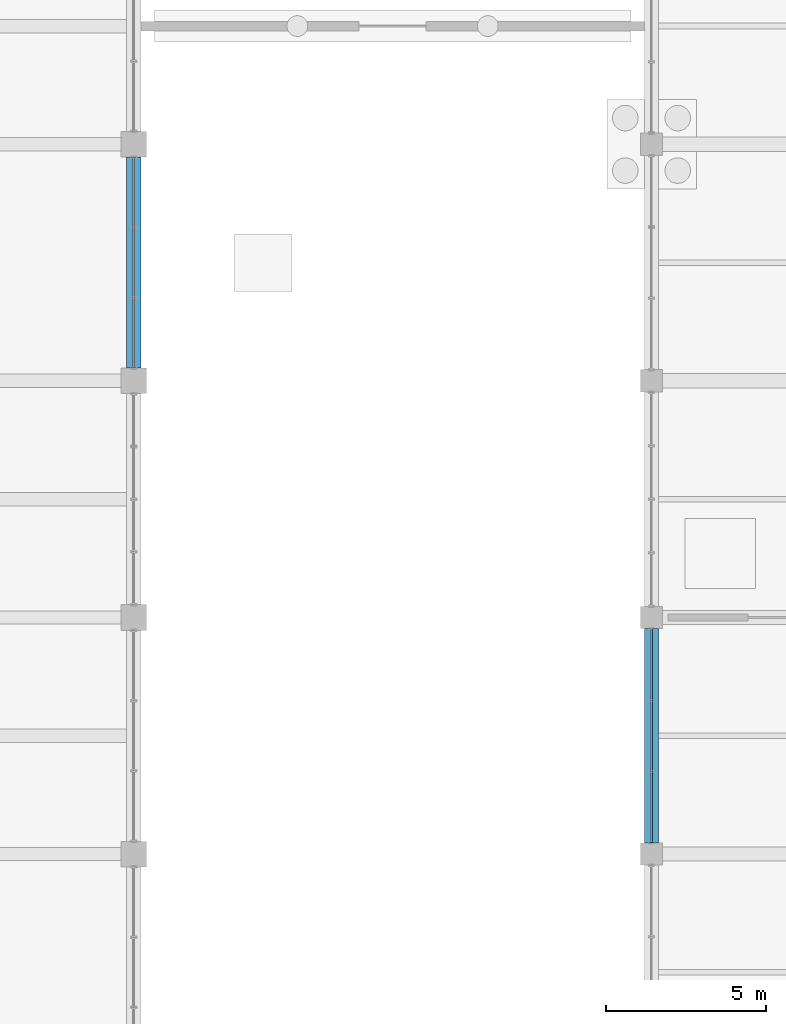
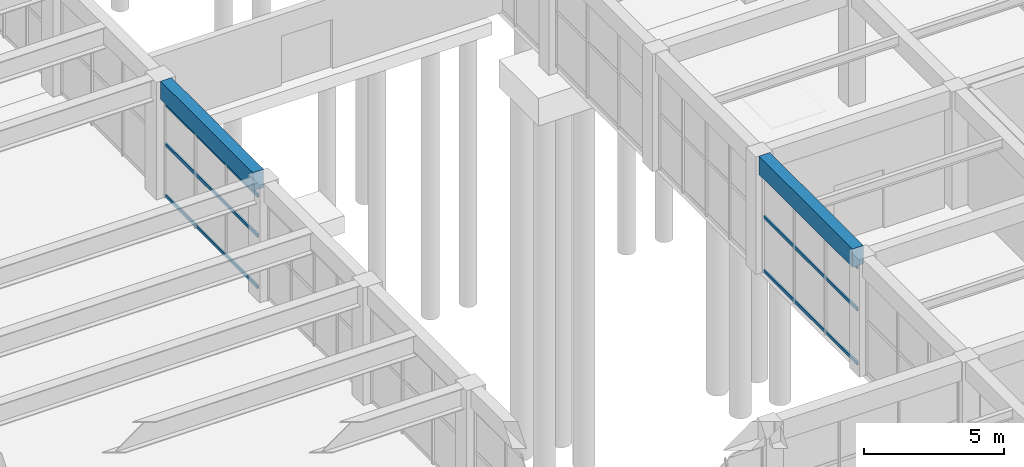
# One storey, part 50 of 140: 6 members, 2 beams, 2 elements without a shape of their own.
"""IFC4 building model written with IfcOpenShell, lengths in metres."""

import ifcopenshell
import ifcopenshell.guid

model = None  # the IFC model being written
_history = None  # IfcOwnerHistory: only IFC2X3 demands one
_inside = {}  # id of a spatial element -> (the spatial element, [elements in it])
_under = {}  # id of a project, library or spatial element -> (it, [spatial elements below it])
_declared = {}  # id of a project -> (the project, [libraries it declares])
_typed = {}  # id of a type object -> (the type object, [elements of that type])
_made_of = {}  # id of a material, layer set ... -> (it, [elements and type objects made of it])


def new_model(schema):
    """Start an empty IFC model of exactly this schema.

    Asked for "IFC4X3", IfcOpenShell would pick the latest addendum, in which some entities
    have other attributes; the version numbers below select the first issue.
    IFC2X3 requires an IfcOwnerHistory on every rooted entity: one is made here for all.
    """
    global model, _history
    if schema == "IFC4X3":
        model = ifcopenshell.file(schema_version=(4, 3, 0, 0))
    else:
        model = ifcopenshell.file(schema=schema)
    _inside.clear()
    _under.clear()
    _declared.clear()
    _typed.clear()
    _made_of.clear()
    _history = None
    if model.schema == "IFC2X3":
        org = make("IfcOrganization", Name="unknown")
        user = make(
            "IfcPersonAndOrganization",
            ThePerson=make("IfcPerson", FamilyName="unknown"),
            TheOrganization=org,
        )
        app = make(
            "IfcApplication",
            ApplicationDeveloper=org,
            Version="unknown",
            ApplicationFullName="unknown",
            ApplicationIdentifier="unknown",
        )
        _history = make(
            "IfcOwnerHistory",
            OwningUser=user,
            OwningApplication=app,
            ChangeAction="ADDED",
            CreationDate=0,
        )
    return model


def make(cls, **values):
    """One entity of the class cls with the attributes given. An attribute that is None is left unset."""
    return model.create_entity(
        cls, **{name: value for name, value in values.items() if value is not None}
    )


def rooted(cls, **values):
    """An entity with a GlobalId (a new one), such as an element, a storey or a relation."""
    return make(cls, GlobalId=ifcopenshell.guid.new(), OwnerHistory=_history, **values)


def si_unit(unit_type, name, prefix=None):
    """IfcSIUnit, for example si_unit("LENGTHUNIT", "METRE", prefix="MILLI")."""
    return make("IfcSIUnit", UnitType=unit_type, Prefix=prefix, Name=name)


def assignment(units):
    """IfcUnitAssignment: the units of a project."""
    return None if units is None else make("IfcUnitAssignment", Units=units)


def point(xyz):
    """IfcCartesianPoint."""
    return None if xyz is None else make("IfcCartesianPoint", Coordinates=xyz)


def direction(xyz):
    """IfcDirection."""
    return None if xyz is None else make("IfcDirection", DirectionRatios=xyz)


def frame(location, z_axis=None, x_axis=None):
    """IfcAxis2Placement3D, a coordinate frame: its origin and axes. An axis left out is left unset."""
    return make(
        "IfcAxis2Placement3D",
        Location=point(location),
        Axis=direction(z_axis),
        RefDirection=direction(x_axis),
    )


def frame_2d(location, x_axis=None):
    """IfcAxis2Placement2D, a coordinate frame in the plane: its origin and x axis."""
    return make(
        "IfcAxis2Placement2D", Location=point(location), RefDirection=direction(x_axis)
    )


def origin():
    """The frame at (0, 0, 0) with its axes left unset."""
    return frame((0.0, 0.0, 0.0))


def origin_2d():
    """The frame at (0, 0) in the plane with its x axis left unset."""
    return frame_2d((0.0, 0.0))


def place(relative_to, where):
    """IfcLocalPlacement: puts the frame where relative to a parent placement (None: the world)."""
    return make(
        "IfcLocalPlacement", PlacementRelTo=relative_to, RelativePlacement=where
    )


def context(
    kind, dimensions, precision=None, world=None, true_north=None, identifier=None
):
    """IfcGeometricRepresentationContext, for example the 3D "Model" context."""
    return make(
        "IfcGeometricRepresentationContext",
        ContextIdentifier=identifier,
        ContextType=kind,
        CoordinateSpaceDimension=dimensions,
        Precision=precision,
        WorldCoordinateSystem=world,
        TrueNorth=true_north,
    )


def subcontext(parent, identifier, kind, view, scale=None):
    """IfcGeometricRepresentationSubContext, for example "Body" below "Model"."""
    return make(
        "IfcGeometricRepresentationSubContext",
        ContextIdentifier=identifier,
        ContextType=kind,
        ParentContext=parent,
        TargetScale=scale,
        TargetView=view,
    )


def project(units=None, contexts=None):
    """IfcProject with its units and contexts."""
    return rooted(
        "IfcProject",
        Name="project",
        RepresentationContexts=contexts,
        UnitsInContext=assignment(units),
    )


def spatial(cls, under=None, at=None, **own):
    """A site, building, storey or space (cls), placed at a placement, below another one or the project."""
    s = rooted(cls, ObjectPlacement=at, **own)
    if under is not None:
        _under.setdefault(under.id(), (under, []))[1].append(s)
    return s


def profile(cls, at=None, kind="AREA", **sizes):
    """A parametric profile (cls). Its sizes go by their IFC names, for example OverallWidth=200.0."""
    return make(cls, ProfileType=kind, Position=at, **sizes)


def rectangle(**sizes):
    """IfcRectangleProfileDef."""
    return profile("IfcRectangleProfileDef", **sizes)


def hollow_rectangle(**sizes):
    """IfcRectangleHollowProfileDef."""
    return profile("IfcRectangleHollowProfileDef", **sizes)


def extrude(swept, where, along, depth):
    """IfcExtrudedAreaSolid: the profile swept, set in the frame where, extruded along a direction by depth."""
    return make(
        "IfcExtrudedAreaSolid",
        SweptArea=swept,
        Position=where,
        ExtrudedDirection=direction(along),
        Depth=depth,
    )


def shape(context_of_items, identifier, shape_type, items):
    """IfcShapeRepresentation: the items that make up one representation, for example the "Body"."""
    return make(
        "IfcShapeRepresentation",
        ContextOfItems=context_of_items,
        RepresentationIdentifier=identifier,
        RepresentationType=shape_type,
        Items=items,
    )


def material(Name=None, Category=None):
    """IfcMaterial."""
    return make("IfcMaterial", Name=Name, Category=Category)


def material_profile(
    of_material, cross_section, Name=None, Category=None, Priority=None
):
    """IfcMaterialProfile: a cross section and its material."""
    return make(
        "IfcMaterialProfile",
        Name=Name,
        Material=of_material,
        Profile=cross_section,
        Priority=Priority,
        Category=Category,
    )


def profile_set(profiles, Name=None, composite=None):
    """IfcMaterialProfileSet."""
    return make(
        "IfcMaterialProfileSet",
        Name=Name,
        MaterialProfiles=profiles,
        CompositeProfile=composite,
    )


def made_of(thing, what):
    """Note that an element or type object is made of a material, layer set ...; save() writes the relation."""
    if what is not None:
        _made_of.setdefault(what.id(), (what, []))[1].append(thing)
    return thing


def type_object(cls, material=None, **own):
    """A type object (cls), such as IfcWallType, which elements share."""
    return made_of(rooted(cls, **own), material)


def element(
    cls,
    number,
    at=None,
    inside=None,
    cuts=None,
    type_object=None,
    material=None,
    context=None,
    identifier="Body",
    shape_type=None,
    held_by="IfcProductDefinitionShape",
    body=None,
    shapes=None,
    **own,
):
    """One element of the class cls, such as IfcWall. Its Tag is "e" and its number.

    at: its placement. inside: the storey or other place that contains it. cuts: it is an
    opening in that element (IfcRelVoidsElement). A single representation is given by context,
    identifier, shape_type and body (its items); several are given by shapes. held_by: the class
    of the entity that holds the representations. save() writes the other relations.
    """
    e = rooted(cls, Tag="e%d" % number, ObjectPlacement=at, **own)
    if body is not None:
        shapes = [shape(context, identifier, shape_type, body)]
    if shapes is not None:
        e.Representation = make(held_by, Representations=shapes)
    if inside is not None:
        _inside.setdefault(inside.id(), (inside, []))[1].append(e)
    if cuts is not None:
        rooted(
            "IfcRelVoidsElement", RelatingBuildingElement=cuts, RelatedOpeningElement=e
        )
    if type_object is not None:
        _typed.setdefault(type_object.id(), (type_object, []))[1].append(e)
    return made_of(e, material)


def aggregate(whole, parts):
    """IfcRelAggregates: a whole, such as a stair, and the parts it consists of."""
    return rooted("IfcRelAggregates", RelatingObject=whole, RelatedObjects=parts)


def save(model, path):
    """Write the relations noted so far, then the file.

    IfcRelAggregates (storeys below a building ...), IfcRelContainedInSpatialStructure (elements
    in a storey), IfcRelDefinesByType, IfcRelAssociatesMaterial and IfcRelDeclares: one each for
    every whole, place, type object, material and project.
    """
    for whole, parts in _under.values():
        aggregate(whole, parts)
    for where, things in _inside.values():
        rooted(
            "IfcRelContainedInSpatialStructure",
            RelatedElements=things,
            RelatingStructure=where,
        )
    for kind, things in _typed.values():
        rooted("IfcRelDefinesByType", RelatedObjects=things, RelatingType=kind)
    for what, things in _made_of.values():
        rooted("IfcRelAssociatesMaterial", RelatedObjects=things, RelatingMaterial=what)
    for by, libraries in _declared.values():
        rooted("IfcRelDeclares", RelatingContext=by, RelatedDefinitions=libraries)
    model.write(path)


model = new_model("IFC4")

# Units and contexts
model_context = context("Model", 3, precision=1e-05, world=origin(), true_north=direction((0.0, 1.0)))
body_context = subcontext(model_context, "Body", "Model", "MODEL_VIEW")
ifc_project = project(units=[si_unit("LENGTHUNIT", "METRE"), si_unit("AREAUNIT", "SQUARE_METRE"), si_unit("VOLUMEUNIT", "CUBIC_METRE"), si_unit("PLANEANGLEUNIT", "RADIAN"), si_unit("MASSUNIT", "GRAM", prefix="KILO")], contexts=[model_context])

# Site, building, storey
site_placement = place(None, origin())
site = spatial("IfcSite", under=ifc_project, at=site_placement, CompositionType="ELEMENT")
building_placement = place(site_placement, origin())
building = spatial("IfcBuilding", under=site, at=building_placement, Name="Cimatlan Art Gallery", CompositionType="ELEMENT")
storey_placement = place(building_placement, origin())
storey = spatial("IfcBuildingStorey", under=building, at=storey_placement, Name="L00", CompositionType="ELEMENT", Elevation=0.0)

# Beams
ifc_material_1 = material(Name="Concrete C40/50", Category="concrete")
ifc_material_profile_1 = material_profile(ifc_material_1, rectangle(XDim=0.449951171875, YDim=0.800048828125, at=origin_2d()), Name="RC450X800")
ifc_profile_set_1 = profile_set([ifc_material_profile_1], Name="Concrete C40/50")
beam_type = type_object("IfcBeamType", Name="BM-RC-450X800", PredefinedType="BEAM", material=ifc_profile_set_1)
beam_1_placement = place(storey_placement, frame((99.199951171875, 61.300048828125, 4.735107421875), z_axis=(0.0, 1.0, 0.0), x_axis=(-1.0, 0.0, 0.0)))
element("IfcBeam", 1, at=beam_1_placement, inside=storey, type_object=beam_type, Name="BM-Y-L00-12-08", PredefinedType="BEAM", context=body_context, shape_type="SweptSolid", body=[
    extrude(rectangle(XDim=0.449951171875, YDim=0.800048828125, at=origin_2d()), origin(), (0.0, 0.0, 1.0), 6.599853515625),
])
beam_2_placement = place(storey_placement, frame((115.39990234375, 46.449951171875, 4.735107421875), z_axis=(0.0, 1.0, 0.0), x_axis=(-1.0, 0.0, 0.0)))
element("IfcBeam", 2, at=beam_2_placement, inside=storey, type_object=beam_type, Name="BM-Y-L00-14-06", PredefinedType="BEAM", context=body_context, shape_type="SweptSolid", body=[
    extrude(rectangle(XDim=0.449951171875, YDim=0.800048828125, at=origin_2d()), origin(), (0.0, 0.0, 1.0), 6.699951171875),
])

# Curtain wall, members
ifc_material_2 = material(Name="Anodised bronze unitised curtain wall")
curtain_wall_type_1 = type_object("IfcCurtainWallType", Name="CW-V-06592X04118-B3", PredefinedType="NOTDEFINED", material=ifc_material_2)
curtain_wall_1_placement = place(storey_placement, origin())
curtain_wall_1 = element("IfcCurtainWall", 3, at=curtain_wall_1_placement, inside=storey, type_object=curtain_wall_type_1, Name="CW-L00-11-08-E", PredefinedType="NOTDEFINED")
ifc_material_3 = material(Name="Anodised bronze aluminium 6063-T6", Category="aluminium")
ifc_material_profile_2 = material_profile(ifc_material_3, hollow_rectangle(XDim=0.06494140625, YDim=0.139892578125, WallThickness=0.00390625, at=origin_2d()), Name="ALU65X140X4")
ifc_profile_set_2 = profile_set([ifc_material_profile_2], Name="Anodised bronze aluminium 6063-T6")
member_type = type_object("IfcMemberType", Name="CW-TRN-140", PredefinedType="USERDEFINED", material=ifc_profile_set_2)
member_1_placement = place(storey_placement, frame((99.199951171875, 67.89599609375, 0.06005859375), z_axis=(0.0, -1.0, 0.0), x_axis=(1.0, 0.0, 0.0)))
member_1 = element("IfcMember", 4, at=member_1_placement, type_object=member_type, Name="CW-L00-11-08-E-T1", ObjectType="TRANSOM", PredefinedType="USERDEFINED", context=body_context, shape_type="SweptSolid", body=[
    extrude(hollow_rectangle(XDim=0.06494140625, YDim=0.139892578125, WallThickness=0.00390625, at=origin_2d()), origin(), (0.0, 0.0, 1.0), 6.592041015625),
])
member_2_placement = place(storey_placement, frame((99.199951171875, 67.89599609375, 2.30615234375), z_axis=(0.0, -1.0, 0.0), x_axis=(1.0, 0.0, 0.0)))
member_2 = element("IfcMember", 5, at=member_2_placement, type_object=member_type, Name="CW-L00-11-08-E-T2", ObjectType="TRANSOM", PredefinedType="USERDEFINED", context=body_context, shape_type="SweptSolid", body=[
    extrude(hollow_rectangle(XDim=0.06494140625, YDim=0.139892578125, WallThickness=0.00390625, at=origin_2d()), origin(), (0.0, 0.0, 1.0), 6.592041015625),
])
member_3_placement = place(storey_placement, frame((99.199951171875, 67.89599609375, 4.05810546875), z_axis=(0.0, -1.0, 0.0), x_axis=(1.0, 0.0, 0.0)))
member_3 = element("IfcMember", 6, at=member_3_placement, type_object=member_type, Name="CW-L00-11-08-E-T3", ObjectType="TRANSOM", PredefinedType="USERDEFINED", context=body_context, shape_type="SweptSolid", body=[
    extrude(hollow_rectangle(XDim=0.06494140625, YDim=0.139892578125, WallThickness=0.00390625, at=origin_2d()), origin(), (0.0, 0.0, 1.0), 6.592041015625),
])
aggregate(curtain_wall_1, [member_1, member_2, member_3])

curtain_wall_type_2 = type_object("IfcCurtainWallType", Name="CW-V-06692X04320-B3", PredefinedType="NOTDEFINED", material=ifc_material_2)
curtain_wall_2_placement = place(storey_placement, origin())
curtain_wall_2 = element("IfcCurtainWall", 7, at=curtain_wall_2_placement, inside=storey, type_object=curtain_wall_type_2, Name="CW-L00-14-06-W", PredefinedType="NOTDEFINED")
member_4_placement = place(storey_placement, frame((115.39990234375, 46.4541015625, 0.06005859375), z_axis=(0.0, 1.0, 0.0), x_axis=(-1.0, 0.0, 0.0)))
member_4 = element("IfcMember", 8, at=member_4_placement, type_object=member_type, Name="CW-L00-14-06-W-T1", ObjectType="TRANSOM", PredefinedType="USERDEFINED", context=body_context, shape_type="SweptSolid", body=[
    extrude(hollow_rectangle(XDim=0.06494140625, YDim=0.139892578125, WallThickness=0.00390625, at=origin_2d()), origin(), (0.0, 0.0, 1.0), 6.69189453125),
])
member_5_placement = place(storey_placement, frame((115.39990234375, 46.4541015625, 2.419189453125), z_axis=(0.0, 1.0, 0.0), x_axis=(-1.0, 0.0, 0.0)))
member_5 = element("IfcMember", 9, at=member_5_placement, type_object=member_type, Name="CW-L00-14-06-W-T2", ObjectType="TRANSOM", PredefinedType="USERDEFINED", context=body_context, shape_type="SweptSolid", body=[
    extrude(hollow_rectangle(XDim=0.06494140625, YDim=0.139892578125, WallThickness=0.00390625, at=origin_2d()), origin(), (0.0, 0.0, 1.0), 6.69189453125),
])
member_6_placement = place(storey_placement, frame((115.39990234375, 46.4541015625, 4.260009765625), z_axis=(0.0, 1.0, 0.0), x_axis=(-1.0, 0.0, 0.0)))
member_6 = element("IfcMember", 10, at=member_6_placement, type_object=member_type, Name="CW-L00-14-06-W-T3", ObjectType="TRANSOM", PredefinedType="USERDEFINED", context=body_context, shape_type="SweptSolid", body=[
    extrude(hollow_rectangle(XDim=0.06494140625, YDim=0.139892578125, WallThickness=0.00390625, at=origin_2d()), origin(), (0.0, 0.0, 1.0), 6.69189453125),
])
aggregate(curtain_wall_2, [member_4, member_5, member_6])

save(model, "model.ifc")
